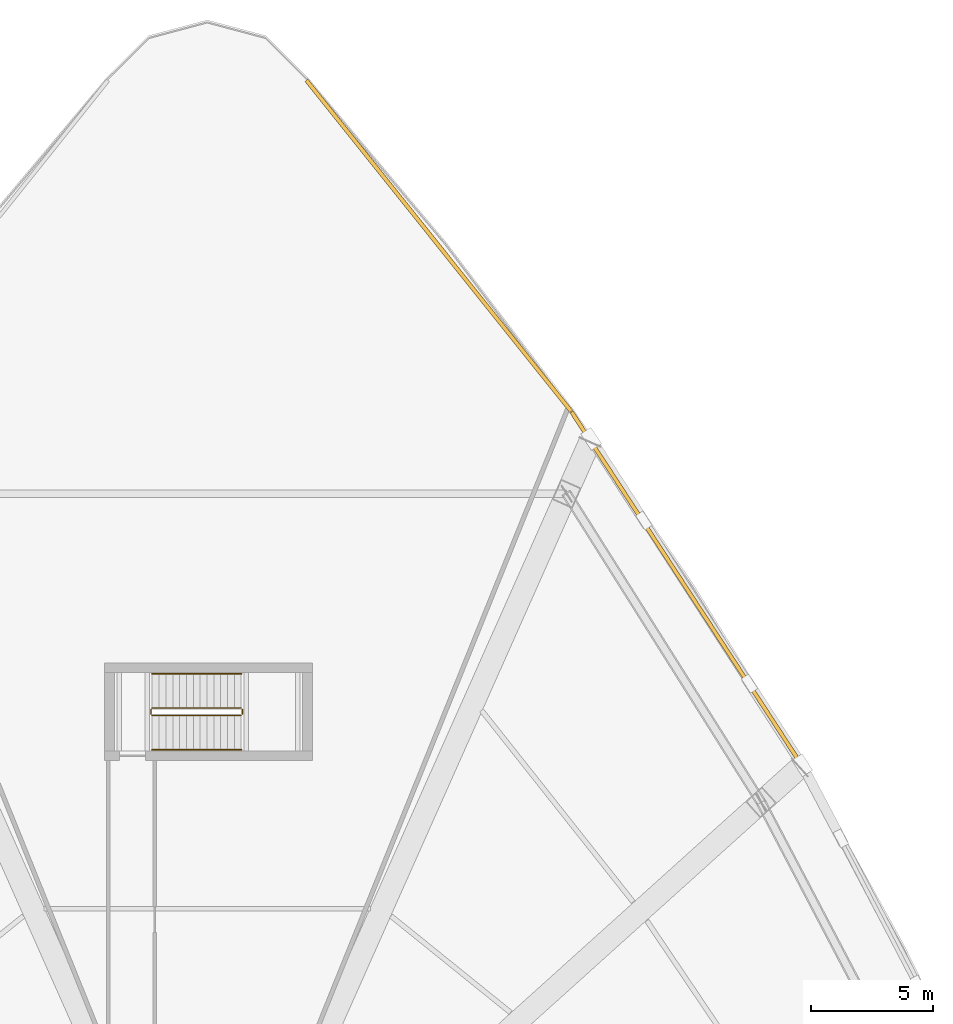
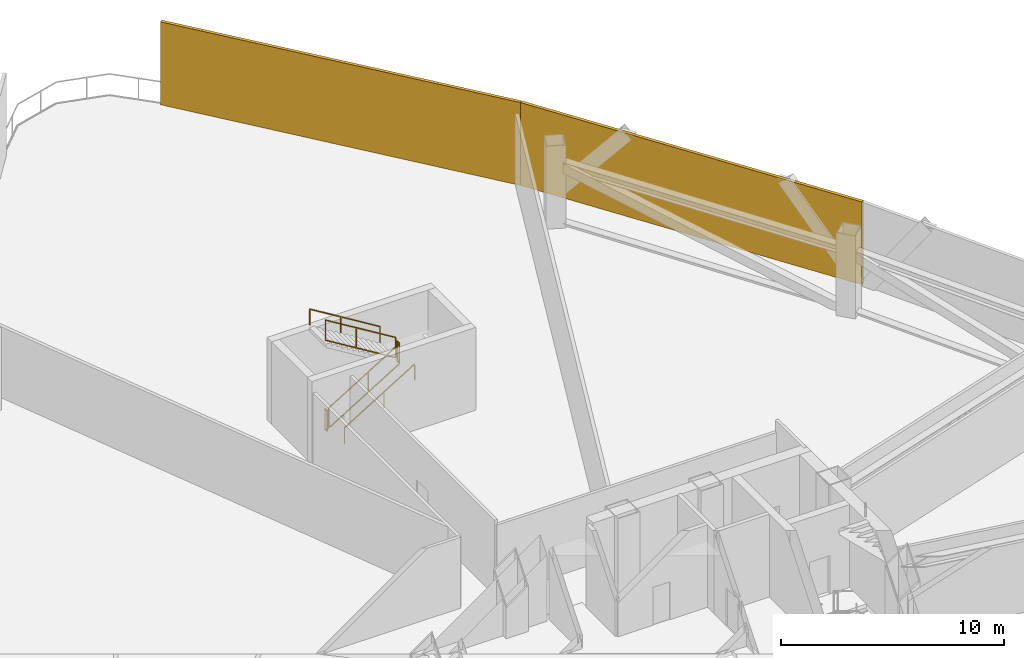
# One storey, part 16 of 17: 6 railings, 2 shading devices.
"""IFC4 building model written with IfcOpenShell, lengths in metres."""

from ifc_helpers import new_model, si_unit, direction, frame, origin, origin_2d, place, context, subcontext, project, spatial, rectangle, extrude, source, transform, mapped, material, layer, layer_set, type_object, element, save


model = new_model("IFC4")

# Units and contexts
model_context = context("Model", 3, precision=1e-05, world=origin(), true_north=direction((0.0, 1.0)))
body_context = subcontext(model_context, "Body", "Model", "MODEL_VIEW")
ifc_project = project(units=[si_unit("LENGTHUNIT", "METRE"), si_unit("AREAUNIT", "SQUARE_METRE"), si_unit("VOLUMEUNIT", "CUBIC_METRE"), si_unit("PLANEANGLEUNIT", "RADIAN"), si_unit("MASSUNIT", "GRAM", prefix="KILO"), si_unit("THERMODYNAMICTEMPERATUREUNIT", "KELVIN"), si_unit("POWERUNIT", "WATT")], contexts=[model_context])

# Site, building, storey
site_placement = place(None, origin())
site = spatial("IfcSite", under=ifc_project, at=site_placement, CompositionType="ELEMENT")
building_placement = place(site_placement, origin())
building = spatial("IfcBuilding", under=site, at=building_placement, Name="Yunzhuo Pagoda Commons", CompositionType="ELEMENT")
storey_placement = place(building_placement, frame((0.0, 0.0, 176.159912109375)))
storey = spatial("IfcBuildingStorey", under=building, at=storey_placement, Name="L44", CompositionType="ELEMENT", Elevation=176.159912109375)

# Railings
ifc_material = material(Name="Anodized aluminium 6063-T6", Category="aluminium")
railing_type_1 = type_object("IfcRailingType", Name="GR-ST3 North Well Guardrail 1155", PredefinedType="GUARDRAIL", material=ifc_material)
railing_1_placement = place(storey_placement, frame((45.75, 57.64990234375, 0.171630859375)))
element("IfcRailing", 1, at=railing_1_placement, inside=storey, type_object=railing_type_1, Name="L44 ST3 stair guard 1", PredefinedType="GUARDRAIL", context=body_context, shape_type="SweptSolid", body=[
    extrude(rectangle(XDim=0.048095703125, YDim=0.048095703125, at=origin_2d()), frame((0.0, 0.0, 1.1259765625), z_axis=(0.852850264322, 0.0, 0.5221555579), x_axis=(0.0, 1.0, 0.0)), (0.0, 0.0, 1.0), 4.267822265625),
    extrude(rectangle(XDim=0.048095703125, YDim=0.048095703125, at=origin_2d()), frame((0.0, 0.0, 0.02392578125), z_axis=(0.852850264322, 0.0, 0.5221555579), x_axis=(0.0, 1.0, 0.0)), (0.0, 0.0, 1.0), 4.267822265625),
    extrude(rectangle(XDim=0.0419921875, YDim=0.0419921875, at=origin_2d()), origin(), (0.0, 0.0, 1.0), 1.101806640625),
    extrude(rectangle(XDim=0.0419921875, YDim=0.0419921875, at=origin_2d()), frame((2.046875, 0.0, 1.253173828125)), (0.0, 0.0, 1.0), 1.101806640625),
    extrude(rectangle(XDim=0.0419921875, YDim=0.0419921875, at=origin_2d()), frame((3.639892578125, 0.0, 2.228515625)), (0.0, 0.0, 1.0), 1.101806640625),
])
railing_2_placement = place(storey_placement, frame((49.43994140625, 57.699951171875, 2.400146484375)))
element("IfcRailing", 2, at=railing_2_placement, inside=storey, type_object=railing_type_1, Name="L44 ST3 stair guard 2", PredefinedType="GUARDRAIL", context=body_context, shape_type="SweptSolid", body=[
    extrude(rectangle(XDim=0.048095703125, YDim=0.048095703125, at=origin_2d()), frame((0.0, 0.0, 1.1259765625), z_axis=(0.0, 1.0, 0.0), x_axis=(-1.0, 0.0, 0.0)), (0.0, 0.0, 1.0), 0.199951171875),
    extrude(rectangle(XDim=0.048095703125, YDim=0.048095703125, at=origin_2d()), frame((0.0, 0.0, 0.02392578125), z_axis=(0.0, 1.0, 0.0), x_axis=(-1.0, 0.0, 0.0)), (0.0, 0.0, 1.0), 0.199951171875),
    extrude(rectangle(XDim=0.0419921875, YDim=0.0419921875, at=origin_2d()), origin(), (0.0, 0.0, 1.0), 1.101806640625),
    extrude(rectangle(XDim=0.0419921875, YDim=0.0419921875, at=origin_2d()), frame((0.0, 0.199951171875, 0.0)), (0.0, 0.0, 1.0), 1.101806640625),
])
railing_3_placement = place(storey_placement, frame((49.389892578125, 57.949951171875, 2.571533203125)))
element("IfcRailing", 3, at=railing_3_placement, inside=storey, type_object=railing_type_1, Name="L44 ST3 stair guard 3", PredefinedType="GUARDRAIL", context=body_context, shape_type="SweptSolid", body=[
    extrude(rectangle(XDim=0.048095703125, YDim=0.048095703125, at=origin_2d()), frame((0.0, 0.0, 1.1259765625), z_axis=(-0.852850264322, 0.0, 0.5221555579), x_axis=(0.0, -1.0, 0.0)), (0.0, 0.0, 1.0), 4.267822265625),
    extrude(rectangle(XDim=0.048095703125, YDim=0.048095703125, at=origin_2d()), frame((0.0, 0.0, 0.02392578125), z_axis=(-0.852850264322, 0.0, 0.5221555579), x_axis=(0.0, -1.0, 0.0)), (0.0, 0.0, 1.0), 4.267822265625),
    extrude(rectangle(XDim=0.0419921875, YDim=0.0419921875, at=origin_2d()), origin(), (0.0, 0.0, 1.0), 1.101806640625),
    extrude(rectangle(XDim=0.0419921875, YDim=0.0419921875, at=origin_2d()), frame((-2.046875, 0.0, 1.253173828125)), (0.0, 0.0, 1.0), 1.101806640625),
    extrude(rectangle(XDim=0.0419921875, YDim=0.0419921875, at=origin_2d()), frame((-3.639892578125, 0.0, 2.228515625)), (0.0, 0.0, 1.0), 1.101806640625),
])
railing_4_placement = place(storey_placement, frame((45.699951171875, 57.699951171875, 0.0)))
element("IfcRailing", 4, at=railing_4_placement, inside=storey, type_object=railing_type_1, Name="L44 ST3 stair guard 4", PredefinedType="GUARDRAIL", context=body_context, shape_type="SweptSolid", body=[
    extrude(rectangle(XDim=0.048095703125, YDim=0.048095703125, at=origin_2d()), frame((0.0, 0.0, 1.1259765625), z_axis=(0.0, 1.0, 0.0), x_axis=(-1.0, 0.0, 0.0)), (0.0, 0.0, 1.0), 0.199951171875),
    extrude(rectangle(XDim=0.048095703125, YDim=0.048095703125, at=origin_2d()), frame((0.0, 0.0, 0.02392578125), z_axis=(0.0, 1.0, 0.0), x_axis=(-1.0, 0.0, 0.0)), (0.0, 0.0, 1.0), 0.199951171875),
    extrude(rectangle(XDim=0.0419921875, YDim=0.0419921875, at=origin_2d()), origin(), (0.0, 0.0, 1.0), 1.101806640625),
    extrude(rectangle(XDim=0.0419921875, YDim=0.0419921875, at=origin_2d()), frame((0.0, 0.199951171875, 0.0)), (0.0, 0.0, 1.0), 1.101806640625),
])
railing_type_2 = type_object("IfcRailingType", Name="HR-ST3 North Stair Handrail 900", PredefinedType="HANDRAIL", material=ifc_material)
railing_5_placement = place(storey_placement, frame((45.75, 56.25, 0.171630859375)))
element("IfcRailing", 5, at=railing_5_placement, inside=storey, type_object=railing_type_2, Name="L44 ST3 stair handrail 1", PredefinedType="HANDRAIL", context=body_context, shape_type="SweptSolid", body=[
    extrude(rectangle(XDim=0.048095703125, YDim=0.048095703125, at=origin_2d()), frame((0.0, 0.0, 0.8759765625), z_axis=(0.852850264322, 0.0, 0.5221555579), x_axis=(0.0, 1.0, 0.0)), (0.0, 0.0, 1.0), 4.267822265625),
    extrude(rectangle(XDim=0.0419921875, YDim=0.0419921875, at=origin_2d()), origin(), (0.0, 0.0, 1.0), 0.851806640625),
    extrude(rectangle(XDim=0.0419921875, YDim=0.0419921875, at=origin_2d()), frame((2.046875, 0.0, 1.253173828125)), (0.0, 0.0, 1.0), 0.851806640625),
    extrude(rectangle(XDim=0.0419921875, YDim=0.0419921875, at=origin_2d()), frame((3.639892578125, 0.0, 2.228515625)), (0.0, 0.0, 1.0), 0.851806640625),
])
railing_6_placement = place(storey_placement, frame((49.389892578125, 59.35009765625, 2.571533203125)))
element("IfcRailing", 6, at=railing_6_placement, inside=storey, type_object=railing_type_2, Name="L44 ST3 stair handrail 2", PredefinedType="HANDRAIL", context=body_context, shape_type="SweptSolid", body=[
    extrude(rectangle(XDim=0.048095703125, YDim=0.048095703125, at=origin_2d()), frame((0.0, 0.0, 0.8759765625), z_axis=(-0.852850264322, 0.0, 0.5221555579), x_axis=(0.0, -1.0, 0.0)), (0.0, 0.0, 1.0), 4.267822265625),
    extrude(rectangle(XDim=0.0419921875, YDim=0.0419921875, at=origin_2d()), origin(), (0.0, 0.0, 1.0), 0.851806640625),
    extrude(rectangle(XDim=0.0419921875, YDim=0.0419921875, at=origin_2d()), frame((-2.046875, 0.0, 1.253173828125)), (0.0, 0.0, 1.0), 0.851806640625),
    extrude(rectangle(XDim=0.0419921875, YDim=0.0419921875, at=origin_2d()), frame((-3.639892578125, 0.0, 2.228515625)), (0.0, 0.0, 1.0), 0.851806640625),
])

# Shading devices
ifc_layer = layer(ifc_material, 0.159912109375)
ifc_layer_set = layer_set([ifc_layer], Name="Anodized aluminium 6063-T6")
shading_device_type = type_object("IfcShadingDeviceType", Name="SH-SCR1 Stormproof Refuge Louvre Screen", PredefinedType="JALOUSIE", material=ifc_layer_set)
shared_shape_1 = source(origin(), body_context, "Body", "SweptSolid", [
    extrude(rectangle(XDim=17.1708984375, YDim=0.159912109375, at=origin_2d()), origin(), (0.0, 0.0, 1.0), 4.5400390625),
])
shading_device_1_placement = place(storey_placement, frame((67.58837890625, 62.866455078125, 0.0), z_axis=(0.0, 0.0, 1.0), x_axis=(-0.545838756973, 0.837890238269, 0.0)))
element("IfcShadingDevice", 7, at=shading_device_1_placement, inside=storey, type_object=shading_device_type, Name="L44 stormproof refuge louvre screen F2.3", PredefinedType="JALOUSIE", context=body_context, shape_type="MappedRepresentation", body=[
    mapped(shared_shape_1, transform((0.0, 0.0, 0.0), scale=1.0)),
])
shared_shape_2 = source(origin(), body_context, "Body", "SweptSolid", [
    extrude(rectangle(XDim=17.33544921875, YDim=0.159912109375, at=origin_2d()), origin(), (0.0, 0.0, 1.0), 4.5400390625),
])
shading_device_2_placement = place(storey_placement, frame((57.47216796875, 76.8525390625, 0.0), z_axis=(0.0, 0.0, 1.0), x_axis=(-0.624520471688, 0.781008438138, 0.0)))
element("IfcShadingDevice", 8, at=shading_device_2_placement, inside=storey, type_object=shading_device_type, Name="L44 stormproof refuge louvre screen F2.4", PredefinedType="JALOUSIE", context=body_context, shape_type="MappedRepresentation", body=[
    mapped(shared_shape_2, transform((0.0, 0.0, 0.0), scale=1.0)),
])

save(model, "model.ifc")
